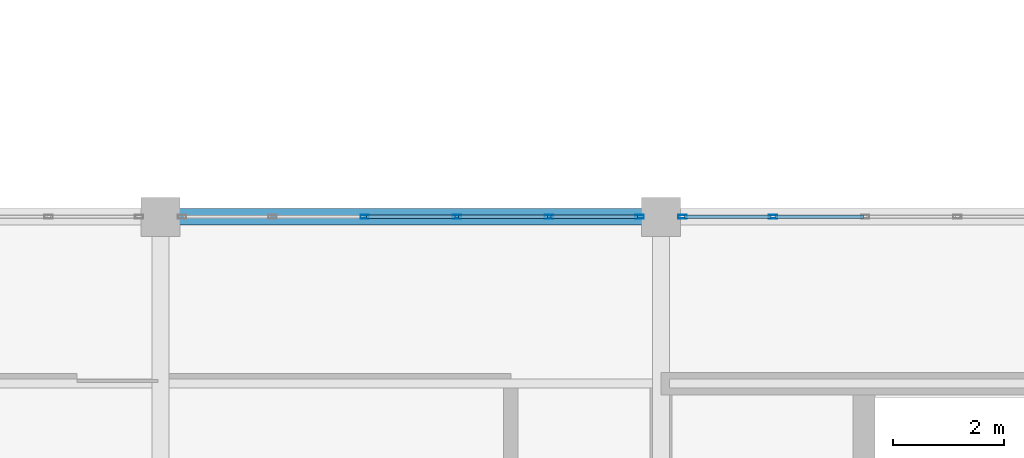
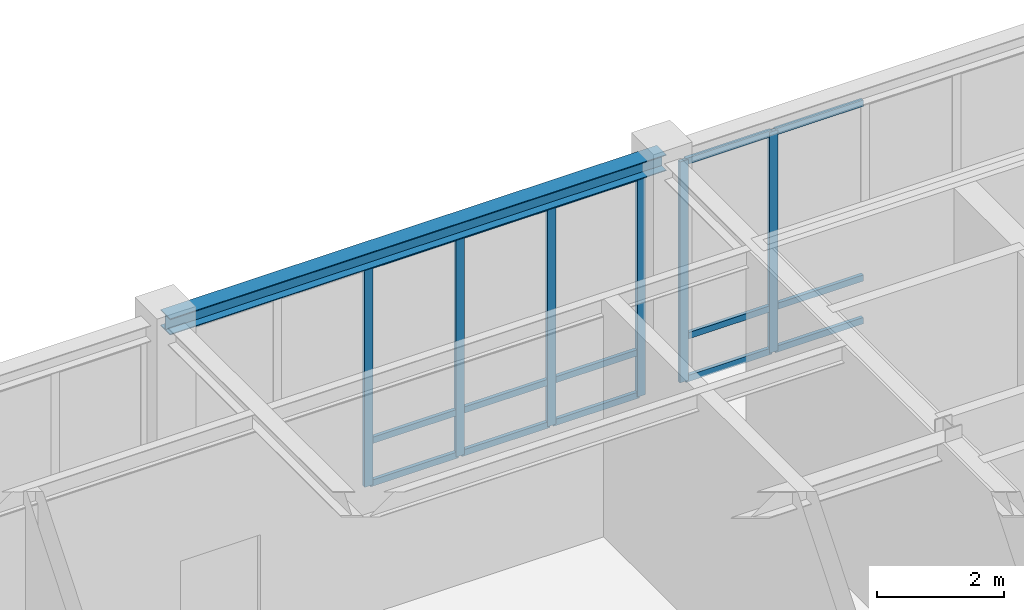
# One storey, part 33 of 98: 21 members, 1 beam, 2 elements without a shape of their own.
"""IFC4 building model written with IfcOpenShell, lengths in metres."""

from ifc_helpers import new_model, si_unit, direction, frame, origin, origin_2d, place, context, subcontext, project, spatial, hollow_rectangle, i_section, extrude, material, material_profile, profile_set, type_object, element, aggregate, save


model = new_model("IFC4")

# Units and contexts
model_context = context("Model", 3, precision=1e-05, world=origin(), true_north=direction((0.0, 1.0)))
body_context = subcontext(model_context, "Body", "Model", "MODEL_VIEW")
ifc_project = project(units=[si_unit("LENGTHUNIT", "METRE"), si_unit("AREAUNIT", "SQUARE_METRE"), si_unit("VOLUMEUNIT", "CUBIC_METRE"), si_unit("PLANEANGLEUNIT", "RADIAN"), si_unit("MASSUNIT", "GRAM", prefix="KILO")], contexts=[model_context])

# Site, building, storey
site_placement = place(None, origin())
site = spatial("IfcSite", under=ifc_project, at=site_placement, CompositionType="ELEMENT")
building_placement = place(site_placement, origin())
building = spatial("IfcBuilding", under=site, at=building_placement, Name="Lykobir Media Centre", CompositionType="ELEMENT")
storey_placement = place(building_placement, frame((0.0, 0.0, 10.199951171875)))
storey = spatial("IfcBuildingStorey", under=building, at=storey_placement, Name="L02", CompositionType="ELEMENT", Elevation=10.199951171875)

# Curtain wall, members
ifc_material_1 = material(Name="Anodized Aluminium AW-6060", Category="aluminium")
curtain_wall_type = type_object("IfcCurtainWallType", Name="CW-COURT-A", PredefinedType="NOTDEFINED", material=ifc_material_1)
curtain_wall_1_placement = place(storey_placement, origin())
curtain_wall_1 = element("IfcCurtainWall", 1, at=curtain_wall_1_placement, inside=storey, type_object=curtain_wall_type, Name="Curtain wall CW2-L02-0100", PredefinedType="NOTDEFINED")
ifc_material_profile_1 = material_profile(ifc_material_1, hollow_rectangle(XDim=0.06494140625, YDim=0.14990234375, WallThickness=0.00341796875, at=origin_2d()), Name="ALU MULLION 65x150")
ifc_profile_set_1 = profile_set([ifc_material_profile_1], Name="Anodized Aluminium AW-6060")
member_type_1 = type_object("IfcMemberType", Name="CWM-150", PredefinedType="MULLION", material=ifc_profile_set_1)
member_1_placement = place(storey_placement, frame((111.6708984375, 18.0, 0.0), z_axis=(0.0, 0.0, 1.0), x_axis=(0.0, 1.0, 0.0)))
member_1 = element("IfcMember", 2, at=member_1_placement, type_object=member_type_1, Name="CW2-L02-0100 mullion 3", PredefinedType="MULLION", context=body_context, shape_type="SweptSolid", body=[
    extrude(hollow_rectangle(XDim=0.06494140625, YDim=0.14990234375, WallThickness=0.00341796875, at=origin_2d()), origin(), (0.0, 0.0, 1.0), 4.235107421875),
])
member_2_placement = place(storey_placement, frame((113.3291015625, 18.0, 0.0), z_axis=(0.0, 0.0, 1.0), x_axis=(0.0, 1.0, 0.0)))
member_2 = element("IfcMember", 3, at=member_2_placement, type_object=member_type_1, Name="CW2-L02-0100 mullion 4", PredefinedType="MULLION", context=body_context, shape_type="SweptSolid", body=[
    extrude(hollow_rectangle(XDim=0.06494140625, YDim=0.14990234375, WallThickness=0.00341796875, at=origin_2d()), origin(), (0.0, 0.0, 1.0), 4.235107421875),
])
member_3_placement = place(storey_placement, frame((114.987060546875, 18.0, 0.0), z_axis=(0.0, 0.0, 1.0), x_axis=(0.0, 1.0, 0.0)))
member_3 = element("IfcMember", 4, at=member_3_placement, type_object=member_type_1, Name="CW2-L02-0100 mullion 5", PredefinedType="MULLION", context=body_context, shape_type="SweptSolid", body=[
    extrude(hollow_rectangle(XDim=0.06494140625, YDim=0.14990234375, WallThickness=0.00341796875, at=origin_2d()), origin(), (0.0, 0.0, 1.0), 4.235107421875),
])
member_4_placement = place(storey_placement, frame((116.612548828125, 18.0, 0.0), z_axis=(0.0, 0.0, 1.0), x_axis=(0.0, 1.0, 0.0)))
member_4 = element("IfcMember", 5, at=member_4_placement, type_object=member_type_1, Name="CW2-L02-0100 mullion 6", PredefinedType="MULLION", context=body_context, shape_type="SweptSolid", body=[
    extrude(hollow_rectangle(XDim=0.06494140625, YDim=0.14990234375, WallThickness=0.00341796875, at=origin_2d()), origin(), (0.0, 0.0, 1.0), 4.235107421875),
])

curtain_wall_2_placement = place(storey_placement, origin())
curtain_wall_2 = element("IfcCurtainWall", 6, at=curtain_wall_2_placement, inside=storey, type_object=curtain_wall_type, Name="Curtain wall CW2-L02-0101", PredefinedType="NOTDEFINED")
member_5_placement = place(storey_placement, frame((117.387451171875, 18.0, 0.0), z_axis=(0.0, 0.0, 1.0), x_axis=(0.0, 1.0, 0.0)))
member_5 = element("IfcMember", 7, at=member_5_placement, type_object=member_type_1, Name="CW2-L02-0101 mullion 1", PredefinedType="MULLION", context=body_context, shape_type="SweptSolid", body=[
    extrude(hollow_rectangle(XDim=0.06494140625, YDim=0.14990234375, WallThickness=0.00341796875, at=origin_2d()), origin(), (0.0, 0.0, 1.0), 4.235107421875),
])
member_6_placement = place(storey_placement, frame((119.012939453125, 18.0, 0.0), z_axis=(0.0, 0.0, 1.0), x_axis=(0.0, 1.0, 0.0)))
member_6 = element("IfcMember", 8, at=member_6_placement, type_object=member_type_1, Name="CW2-L02-0101 mullion 2", PredefinedType="MULLION", context=body_context, shape_type="SweptSolid", body=[
    extrude(hollow_rectangle(XDim=0.06494140625, YDim=0.14990234375, WallThickness=0.00341796875, at=origin_2d()), origin(), (0.0, 0.0, 1.0), 4.235107421875),
])

# Member
ifc_material_profile_2 = material_profile(ifc_material_1, hollow_rectangle(XDim=0.06494140625, YDim=0.1201171875, WallThickness=0.0029296875, at=origin_2d()), Name="ALU TRANSOM 65x120")
ifc_profile_set_2 = profile_set([ifc_material_profile_2], Name="Anodized Aluminium AW-6060")
member_type_2 = type_object("IfcMemberType", Name="CWT-120", PredefinedType="USERDEFINED", material=ifc_profile_set_2)
member_7_placement = place(storey_placement, frame((111.70361328125, 18.0, 0.032470703125), z_axis=(1.0, 0.0, 0.0), x_axis=(0.0, 1.0, 0.0)))
member_7 = element("IfcMember", 9, at=member_7_placement, type_object=member_type_2, Name="CW2-L02-0100 transom 3.1", ObjectType="TRANSOM", PredefinedType="USERDEFINED", context=body_context, shape_type="SweptSolid", body=[
    extrude(hollow_rectangle(XDim=0.06494140625, YDim=0.1201171875, WallThickness=0.0029296875, at=origin_2d()), origin(), (0.0, 0.0, 1.0), 1.5927734375),
])

member_8_placement = place(storey_placement, frame((111.70361328125, 18.0, 0.85009765625), z_axis=(1.0, 0.0, 0.0), x_axis=(0.0, 1.0, 0.0)))
member_8 = element("IfcMember", 10, at=member_8_placement, type_object=member_type_2, Name="CW2-L02-0100 transom 3.2", ObjectType="TRANSOM", PredefinedType="USERDEFINED", context=body_context, shape_type="SweptSolid", body=[
    extrude(hollow_rectangle(XDim=0.06494140625, YDim=0.1201171875, WallThickness=0.0029296875, at=origin_2d()), origin(), (0.0, 0.0, 1.0), 1.5927734375),
])

member_9_placement = place(storey_placement, frame((111.70361328125, 18.0, 4.20263671875), z_axis=(1.0, 0.0, 0.0), x_axis=(0.0, 1.0, 0.0)))
member_9 = element("IfcMember", 11, at=member_9_placement, type_object=member_type_2, Name="CW2-L02-0100 transom 3.3", ObjectType="TRANSOM", PredefinedType="USERDEFINED", context=body_context, shape_type="SweptSolid", body=[
    extrude(hollow_rectangle(XDim=0.06494140625, YDim=0.1201171875, WallThickness=0.0029296875, at=origin_2d()), origin(), (0.0, 0.0, 1.0), 1.5927734375),
])

member_10_placement = place(storey_placement, frame((113.361572265625, 18.0, 0.032470703125), z_axis=(1.0, 0.0, 0.0), x_axis=(0.0, 1.0, 0.0)))
member_10 = element("IfcMember", 12, at=member_10_placement, type_object=member_type_2, Name="CW2-L02-0100 transom 4.1", ObjectType="TRANSOM", PredefinedType="USERDEFINED", context=body_context, shape_type="SweptSolid", body=[
    extrude(hollow_rectangle(XDim=0.06494140625, YDim=0.1201171875, WallThickness=0.0029296875, at=origin_2d()), origin(), (0.0, 0.0, 1.0), 1.593017578125),
])

member_11_placement = place(storey_placement, frame((113.361572265625, 18.0, 0.85009765625), z_axis=(1.0, 0.0, 0.0), x_axis=(0.0, 1.0, 0.0)))
member_11 = element("IfcMember", 13, at=member_11_placement, type_object=member_type_2, Name="CW2-L02-0100 transom 4.2", ObjectType="TRANSOM", PredefinedType="USERDEFINED", context=body_context, shape_type="SweptSolid", body=[
    extrude(hollow_rectangle(XDim=0.06494140625, YDim=0.1201171875, WallThickness=0.0029296875, at=origin_2d()), origin(), (0.0, 0.0, 1.0), 1.593017578125),
])

member_12_placement = place(storey_placement, frame((113.361572265625, 18.0, 4.20263671875), z_axis=(1.0, 0.0, 0.0), x_axis=(0.0, 1.0, 0.0)))
member_12 = element("IfcMember", 14, at=member_12_placement, type_object=member_type_2, Name="CW2-L02-0100 transom 4.3", ObjectType="TRANSOM", PredefinedType="USERDEFINED", context=body_context, shape_type="SweptSolid", body=[
    extrude(hollow_rectangle(XDim=0.06494140625, YDim=0.1201171875, WallThickness=0.0029296875, at=origin_2d()), origin(), (0.0, 0.0, 1.0), 1.593017578125),
])

member_13_placement = place(storey_placement, frame((115.01953125, 18.0, 0.032470703125), z_axis=(1.0, 0.0, 0.0), x_axis=(0.0, 1.0, 0.0)))
member_13 = element("IfcMember", 15, at=member_13_placement, type_object=member_type_2, Name="CW2-L02-0100 transom 5.1", ObjectType="TRANSOM", PredefinedType="USERDEFINED", context=body_context, shape_type="SweptSolid", body=[
    extrude(hollow_rectangle(XDim=0.06494140625, YDim=0.1201171875, WallThickness=0.0029296875, at=origin_2d()), origin(), (0.0, 0.0, 1.0), 1.560546875),
])

member_14_placement = place(storey_placement, frame((115.01953125, 18.0, 0.85009765625), z_axis=(1.0, 0.0, 0.0), x_axis=(0.0, 1.0, 0.0)))
member_14 = element("IfcMember", 16, at=member_14_placement, type_object=member_type_2, Name="CW2-L02-0100 transom 5.2", ObjectType="TRANSOM", PredefinedType="USERDEFINED", context=body_context, shape_type="SweptSolid", body=[
    extrude(hollow_rectangle(XDim=0.06494140625, YDim=0.1201171875, WallThickness=0.0029296875, at=origin_2d()), origin(), (0.0, 0.0, 1.0), 1.560546875),
])

member_15_placement = place(storey_placement, frame((115.01953125, 18.0, 4.20263671875), z_axis=(1.0, 0.0, 0.0), x_axis=(0.0, 1.0, 0.0)))
member_15 = element("IfcMember", 17, at=member_15_placement, type_object=member_type_2, Name="CW2-L02-0100 transom 5.3", ObjectType="TRANSOM", PredefinedType="USERDEFINED", context=body_context, shape_type="SweptSolid", body=[
    extrude(hollow_rectangle(XDim=0.06494140625, YDim=0.1201171875, WallThickness=0.0029296875, at=origin_2d()), origin(), (0.0, 0.0, 1.0), 1.560546875),
])

aggregate(curtain_wall_1, [member_1, member_2, member_3, member_4, member_7, member_8, member_9, member_10, member_11, member_12, member_13, member_14, member_15])

member_16_placement = place(storey_placement, frame((117.419921875, 18.0, 0.032470703125), z_axis=(1.0, 0.0, 0.0), x_axis=(0.0, 1.0, 0.0)))
member_16 = element("IfcMember", 18, at=member_16_placement, type_object=member_type_2, Name="CW2-L02-0101 transom 1.1", ObjectType="TRANSOM", PredefinedType="USERDEFINED", context=body_context, shape_type="SweptSolid", body=[
    extrude(hollow_rectangle(XDim=0.06494140625, YDim=0.1201171875, WallThickness=0.0029296875, at=origin_2d()), origin(), (0.0, 0.0, 1.0), 1.560546875),
])

member_17_placement = place(storey_placement, frame((117.419921875, 18.0, 0.85009765625), z_axis=(1.0, 0.0, 0.0), x_axis=(0.0, 1.0, 0.0)))
member_17 = element("IfcMember", 19, at=member_17_placement, type_object=member_type_2, Name="CW2-L02-0101 transom 1.2", ObjectType="TRANSOM", PredefinedType="USERDEFINED", context=body_context, shape_type="SweptSolid", body=[
    extrude(hollow_rectangle(XDim=0.06494140625, YDim=0.1201171875, WallThickness=0.0029296875, at=origin_2d()), origin(), (0.0, 0.0, 1.0), 1.560546875),
])

member_18_placement = place(storey_placement, frame((117.419921875, 18.0, 4.20263671875), z_axis=(1.0, 0.0, 0.0), x_axis=(0.0, 1.0, 0.0)))
member_18 = element("IfcMember", 20, at=member_18_placement, type_object=member_type_2, Name="CW2-L02-0101 transom 1.3", ObjectType="TRANSOM", PredefinedType="USERDEFINED", context=body_context, shape_type="SweptSolid", body=[
    extrude(hollow_rectangle(XDim=0.06494140625, YDim=0.1201171875, WallThickness=0.0029296875, at=origin_2d()), origin(), (0.0, 0.0, 1.0), 1.560546875),
])

member_19_placement = place(storey_placement, frame((119.04541015625, 18.0, 0.032470703125), z_axis=(1.0, 0.0, 0.0), x_axis=(0.0, 1.0, 0.0)))
member_19 = element("IfcMember", 21, at=member_19_placement, type_object=member_type_2, Name="CW2-L02-0101 transom 2.1", ObjectType="TRANSOM", PredefinedType="USERDEFINED", context=body_context, shape_type="SweptSolid", body=[
    extrude(hollow_rectangle(XDim=0.06494140625, YDim=0.1201171875, WallThickness=0.0029296875, at=origin_2d()), origin(), (0.0, 0.0, 1.0), 1.593017578125),
])

member_20_placement = place(storey_placement, frame((119.04541015625, 18.0, 0.85009765625), z_axis=(1.0, 0.0, 0.0), x_axis=(0.0, 1.0, 0.0)))
member_20 = element("IfcMember", 22, at=member_20_placement, type_object=member_type_2, Name="CW2-L02-0101 transom 2.2", ObjectType="TRANSOM", PredefinedType="USERDEFINED", context=body_context, shape_type="SweptSolid", body=[
    extrude(hollow_rectangle(XDim=0.06494140625, YDim=0.1201171875, WallThickness=0.0029296875, at=origin_2d()), origin(), (0.0, 0.0, 1.0), 1.593017578125),
])

member_21_placement = place(storey_placement, frame((119.04541015625, 18.0, 4.20263671875), z_axis=(1.0, 0.0, 0.0), x_axis=(0.0, 1.0, 0.0)))
member_21 = element("IfcMember", 23, at=member_21_placement, type_object=member_type_2, Name="CW2-L02-0101 transom 2.3", ObjectType="TRANSOM", PredefinedType="USERDEFINED", context=body_context, shape_type="SweptSolid", body=[
    extrude(hollow_rectangle(XDim=0.06494140625, YDim=0.1201171875, WallThickness=0.0029296875, at=origin_2d()), origin(), (0.0, 0.0, 1.0), 1.593017578125),
])

aggregate(curtain_wall_2, [member_5, member_6, member_16, member_17, member_18, member_19, member_20, member_21])

# Beam
ifc_material_2 = material(Name="Steel S355", Category="steel")
ifc_material_profile_3 = material_profile(ifc_material_2, i_section(OverallWidth=0.300048828125, OverallDepth=0.31005859375, WebThickness=0.009033203125, FlangeThickness=0.015380859375, at=origin_2d()), Name="HEA 320")
ifc_profile_set_3 = profile_set([ifc_material_profile_3], Name="Steel S355")
beam_type = type_object("IfcBeamType", Name="SP-HEA320", PredefinedType="SPANDREL", material=ifc_profile_set_3)
beam_placement = place(storey_placement, frame((108.0, 18.0, 4.405029296875), z_axis=(1.0, 0.0, 0.0), x_axis=(0.0, 1.0, 0.0)))
element("IfcBeam", 24, at=beam_placement, inside=storey, type_object=beam_type, Name="Beam BM-L02-1080-0180-1170-0180-1460", PredefinedType="SPANDREL", context=body_context, shape_type="SweptSolid", body=[
    extrude(i_section(OverallWidth=0.300048828125, OverallDepth=0.31005859375, WebThickness=0.009033203125, FlangeThickness=0.015380859375, at=origin_2d()), origin(), (0.0, 0.0, 1.0), 9.0),
])

save(model, "model.ifc")
